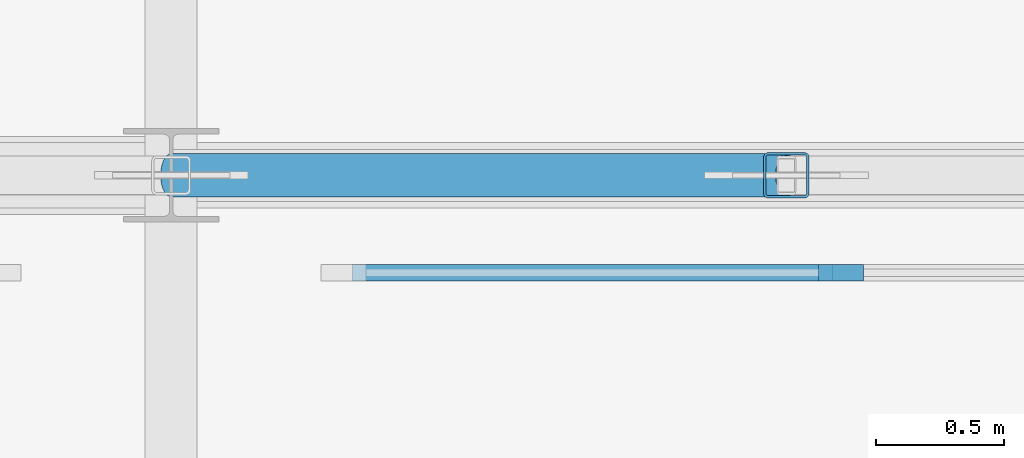
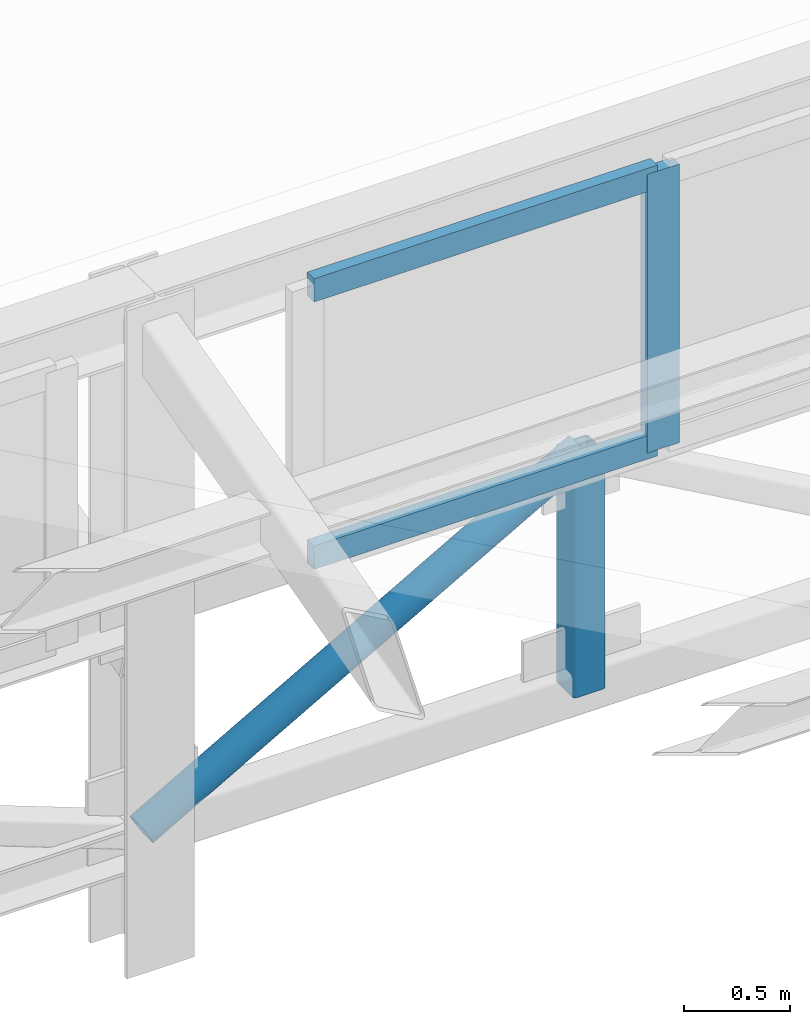
# One storey, part 22 of 98: 5 members, 1 element without a shape of its own.
"""IFC4 building model written with IfcOpenShell, lengths in metres."""

from ifc_helpers import new_model, si_unit, direction, frame, origin, origin_2d, place, context, subcontext, project, spatial, rectangle, hollow_rectangle, hollow_circle, extrude, material, layer, layer_set, material_profile, profile_set, type_object, element, aggregate, save


model = new_model("IFC4")

# Units and contexts
model_context = context("Model", 3, precision=1e-05, world=origin(), true_north=direction((0.0, 1.0)))
body_context = subcontext(model_context, "Body", "Model", "MODEL_VIEW")
ifc_project = project(units=[si_unit("LENGTHUNIT", "METRE"), si_unit("AREAUNIT", "SQUARE_METRE"), si_unit("VOLUMEUNIT", "CUBIC_METRE"), si_unit("PLANEANGLEUNIT", "RADIAN"), si_unit("MASSUNIT", "GRAM", prefix="KILO")], contexts=[model_context])

# Site, building, storey
site_placement = place(None, origin())
site = spatial("IfcSite", under=ifc_project, at=site_placement, CompositionType="ELEMENT")
building_placement = place(site_placement, origin())
building = spatial("IfcBuilding", under=site, at=building_placement, Name="Solenvale Faculty of Natural Sciences", CompositionType="ELEMENT")
storey_placement = place(building_placement, frame((0.0, 0.0, 9.0)))
storey = spatial("IfcBuildingStorey", under=building, at=storey_placement, Name="L02", CompositionType="ELEMENT", Elevation=9.0)

# Curtain wall, members
ifc_material_1 = material(Name="Anodised bronze aluminium", Category="aluminium")
ifc_layer = layer(ifc_material_1, 0.1650390625)
ifc_layer_set = layer_set([ifc_layer], Name="Anodised bronze aluminium")
curtain_wall_type = type_object("IfcCurtainWallType", Name="CW-SAW-CLR", PredefinedType="USERDEFINED", material=ifc_layer_set)
curtain_wall_placement = place(storey_placement, origin())
curtain_wall = element("IfcCurtainWall", 1, at=curtain_wall_placement, inside=storey, type_object=curtain_wall_type, Name="L02 Curtain Wall SAW-V1-CW-4-2", ObjectType="NORTH LIGHT CLERESTORY", PredefinedType="USERDEFINED")
ifc_material_profile_1 = material_profile(ifc_material_1, rectangle(XDim=0.06494140625, YDim=0.175048828125, at=origin_2d()), Name="ALU-MUL-65x175")
ifc_profile_set_1 = profile_set([ifc_material_profile_1], Name="Anodised bronze aluminium")
member_type_1 = type_object("IfcMemberType", Name="CWM-ALU-65x175", PredefinedType="MULLION", material=ifc_profile_set_1)
member_1_placement = place(storey_placement, frame((31.413330078125, 28.419921875, 2.22998046875), z_axis=(0.0, 0.0, 1.0), x_axis=(0.0, -1.0, 0.0)))
member_1 = element("IfcMember", 2, at=member_1_placement, type_object=member_type_1, Name="CW-05 mullion 3", PredefinedType="MULLION", context=body_context, shape_type="SweptSolid", body=[
    extrude(rectangle(XDim=0.06494140625, YDim=0.175048828125, at=origin_2d()), origin(), (0.0, 0.0, 1.0), 1.610107421875),
])
ifc_material_profile_2 = material_profile(ifc_material_1, rectangle(XDim=0.06494140625, YDim=0.135009765625, at=origin_2d()), Name="ALU-TRN-65x135")
ifc_profile_set_2 = profile_set([ifc_material_profile_2], Name="Anodised bronze aluminium")
member_type_2 = type_object("IfcMemberType", Name="CWT-ALU-65x135", PredefinedType="USERDEFINED", material=ifc_profile_set_2)
member_2_placement = place(storey_placement, frame((31.380859375, 28.419921875, 2.262451171875), z_axis=(-1.0, 0.0, 0.0), x_axis=(0.0, -1.0, 0.0)))
member_2 = element("IfcMember", 3, at=member_2_placement, type_object=member_type_2, Name="CW-05 transom 3.1", ObjectType="TRANSOM", PredefinedType="USERDEFINED", context=body_context, shape_type="SweptSolid", body=[
    extrude(rectangle(XDim=0.06494140625, YDim=0.135009765625, at=origin_2d()), origin(), (0.0, 0.0, 1.0), 1.8759765625),
])
member_3_placement = place(storey_placement, frame((31.380859375, 28.419921875, 3.8076171875), z_axis=(-1.0, 0.0, 0.0), x_axis=(0.0, -1.0, 0.0)))
member_3 = element("IfcMember", 4, at=member_3_placement, type_object=member_type_2, Name="CW-05 transom 3.2", ObjectType="TRANSOM", PredefinedType="USERDEFINED", context=body_context, shape_type="SweptSolid", body=[
    extrude(rectangle(XDim=0.06494140625, YDim=0.135009765625, at=origin_2d()), origin(), (0.0, 0.0, 1.0), 1.8759765625),
])
aggregate(curtain_wall, [member_1, member_2, member_3])

# Members
ifc_material_2 = material(Name="Steel S355", Category="steel")
ifc_material_profile_3 = material_profile(ifc_material_2, hollow_circle(Radius=0.084228515625, WallThickness=0.008056640625, at=origin_2d()), Name="HSS168x8.0")
ifc_profile_set_3 = profile_set([ifc_material_profile_3], Name="Steel S355")
member_type_3 = type_object("IfcMemberType", Name="MB-BRC-CHS168", PredefinedType="BRACE", material=ifc_profile_set_3)
member_4_placement = place(storey_placement, frame((28.800048828125, 28.800048828125, 0.68994140625), z_axis=(0.869996876503, 0.0, 0.493057232859), x_axis=(0.0, 1.0, 0.0)))
element("IfcMember", 5, at=member_4_placement, inside=storey, type_object=member_type_3, Name="V1 Truss 4.2 Diagonal 1", PredefinedType="BRACE", context=body_context, shape_type="SweptSolid", body=[
    extrude(hollow_circle(Radius=0.084228515625, WallThickness=0.008056640625, at=origin_2d()), origin(), (0.0, 0.0, 1.0), 2.758544921875),
])
ifc_material_profile_4 = material_profile(ifc_material_2, hollow_rectangle(XDim=0.177978515625, YDim=0.177978515625, WallThickness=0.009521484375, InnerFilletRadius=0.009521484375, OuterFilletRadius=0.01904296875, at=origin_2d()), Name="HSS178x178x9.5")
ifc_profile_set_4 = profile_set([ifc_material_profile_4], Name="Steel S355")
member_type_4 = type_object("IfcMemberType", Name="MB-STR-HSS178", PredefinedType="STRUT", material=ifc_profile_set_4)
member_5_placement = place(storey_placement, frame((31.199951171875, 28.800048828125, 0.68994140625), z_axis=(0.0, 0.0, 1.0), x_axis=(1.0, 0.0, 0.0)))
element("IfcMember", 6, at=member_5_placement, inside=storey, type_object=member_type_4, Name="V1 Truss 4.2 Strut 1", PredefinedType="STRUT", context=body_context, shape_type="SweptSolid", body=[
    extrude(hollow_rectangle(XDim=0.177978515625, YDim=0.177978515625, WallThickness=0.009521484375, InnerFilletRadius=0.009521484375, OuterFilletRadius=0.01904296875, at=origin_2d()), origin(), (0.0, 0.0, 1.0), 1.360107421875),
])

save(model, "model.ifc")
